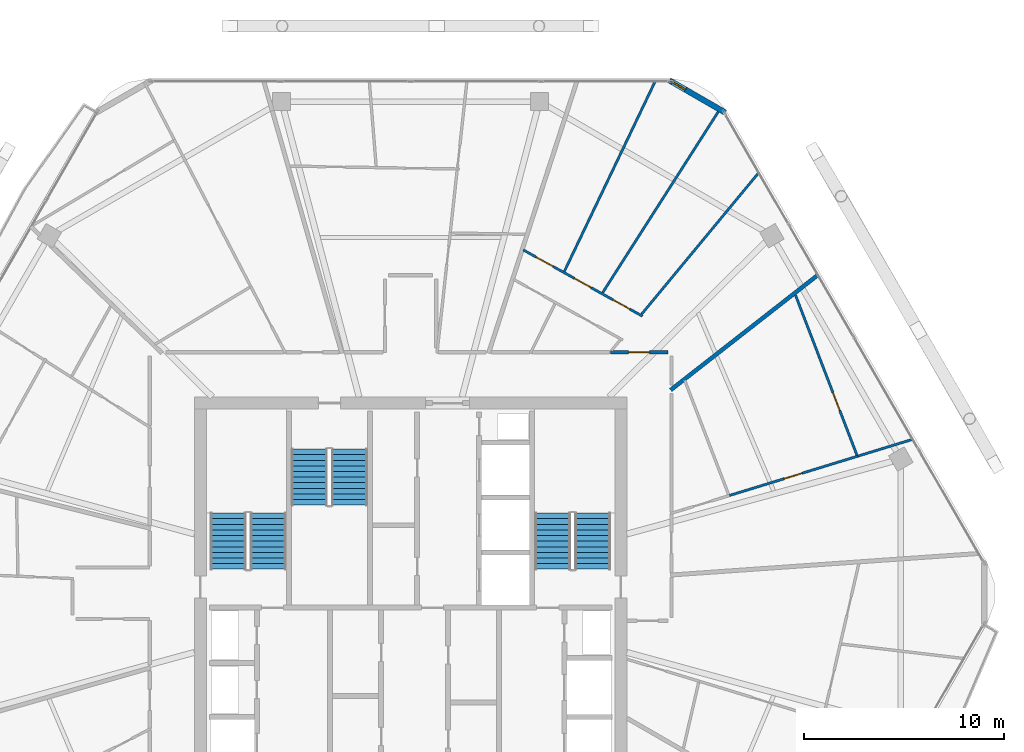
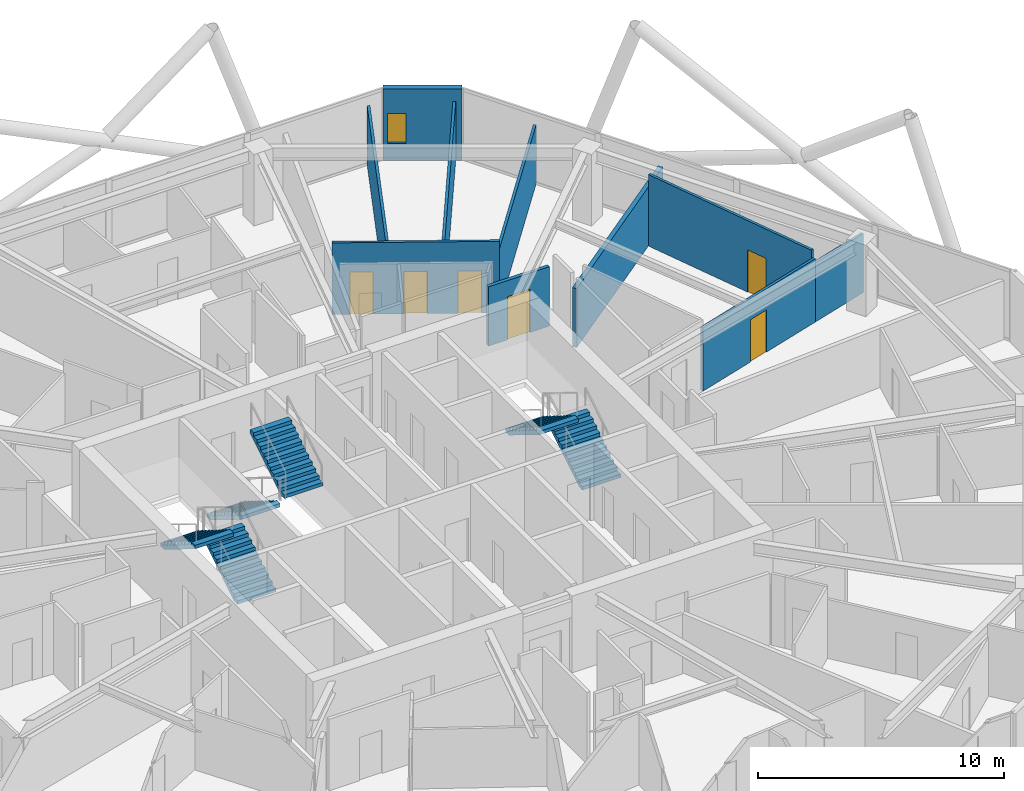
# One storey, part 25 of 29: 10 walls, 6 doors, 6 stair flights, 1 window, 7 openings, 3 elements without a shape of their own.
"""IFC4 building model written with IfcOpenShell, lengths in metres."""

from ifc_helpers import new_model, si_unit, direction, frame, frame_2d, origin, place, context, subcontext, project, spatial, polyline, rectangle, outline, extrude, material, layer, layer_set, type_object, element, fill, aggregate, save


model = new_model("IFC4")

# Units and contexts
model_context = context("Model", 3, precision=1e-05, world=origin(), true_north=direction((0.0, 1.0)))
body_context = subcontext(model_context, "Body", "Model", "MODEL_VIEW")
ifc_project = project(units=[si_unit("LENGTHUNIT", "METRE"), si_unit("AREAUNIT", "SQUARE_METRE"), si_unit("VOLUMEUNIT", "CUBIC_METRE"), si_unit("PLANEANGLEUNIT", "RADIAN"), si_unit("MASSUNIT", "GRAM", prefix="KILO")], contexts=[model_context])

# Site, building, storey
site_placement = place(None, origin())
site = spatial("IfcSite", under=ifc_project, at=site_placement, CompositionType="ELEMENT")
building_placement = place(site_placement, origin())
building = spatial("IfcBuilding", under=site, at=building_placement, Name="Zuhravey Tower", CompositionType="ELEMENT")
storey_placement = place(building_placement, frame((0.0, 0.0, 246.39990234375)))
storey = spatial("IfcBuildingStorey", under=building, at=storey_placement, Name="L62", CompositionType="ELEMENT", Elevation=246.39990234375)

# Wall, opening, door
ifc_material_1 = material(Name="Gypsum fire-rated stud partition")
ifc_layer_1 = layer(ifc_material_1, 0.159912109375)
ifc_layer_set_1 = layer_set([ifc_layer_1], Name="Gypsum fire-rated stud partition")
wall_type_1 = type_object("IfcWallType", Name="Corridor Fire Partition 160", PredefinedType="PARTITIONING", material=ifc_layer_set_1)
wall_1_placement = place(storey_placement, frame((48.849365234375, 44.030029296875, 0.0), z_axis=(0.0, 0.0, 1.0), x_axis=(-1.0, 0.0, 0.0)))
wall_1 = element("IfcWall", 1, at=wall_1_placement, inside=storey, type_object=wall_type_1, Name="L62 IW16 Partition 063", PredefinedType="PARTITIONING", context=body_context, shape_type="SweptSolid", body=[
    extrude(rectangle(XDim=2.8642578125, YDim=0.159912109375, at=frame_2d((1.43212890625, 0.0))), origin(), (0.0, 0.0, 1.0), 2.9501953125),
])
opening_1_placement = place(wall_1_placement, frame((0.906982421875, 0.0, 0.0)))
opening_1 = element("IfcOpeningElement", 2, at=opening_1_placement, cuts=wall_1, Name="Opening APD1", PredefinedType="OPENING", context=body_context, shape_type="SweptSolid", body=[
    extrude(rectangle(XDim=1.050048828125, YDim=2.14990234375, at=frame_2d((0.52490234375, 1.074951171875))), frame((0.0, 0.092041015625, 0.0), z_axis=(0.0, -1.0, 0.0), x_axis=(1.0, 0.0, 0.0)), (0.0, 0.0, 1.0), 0.183837890625),
])
ifc_material_2 = material(Name="Solid-core oak fire-rated leaf")
door_type_1 = type_object("IfcDoorType", Name="Apartment Entrance Fire Door 1050x2150", OperationType="NOTDEFINED", PredefinedType="DOOR", material=ifc_material_2)
door_1_placement = place(opening_1_placement, frame((1.050048828125, 0.0, 0.0), z_axis=(0.0, 0.0, 1.0), x_axis=(-1.0, 0.0, 0.0)))
door_1 = element("IfcDoor", 3, at=door_1_placement, inside=storey, type_object=door_type_1, Name="L62 Door 063.1", OperationType="SINGLE_SWING_RIGHT", OverallHeight=2.14990234375, OverallWidth=1.050048828125, PredefinedType="DOOR", context=body_context, shape_type="SweptSolid", body=[
    extrude(rectangle(XDim=1.050048828125, YDim=2.14990234375, at=frame_2d((0.52490234375, 1.074951171875))), frame((0.0, 0.02490234375, 0.0), z_axis=(0.0, -1.0, 0.0), x_axis=(1.0, 0.0, 0.0)), (0.0, 0.0, 1.0), 0.050048828125),
])
fill(opening_1, door_1)

# Wall, opening, window
ifc_material_3 = material(Name="Precast concrete C40/50", Category="concrete")
ifc_layer_2 = layer(ifc_material_3, 0.280029296875)
ifc_layer_set_2 = layer_set([ifc_layer_2], Name="Precast concrete C40/50")
wall_type_2 = type_object("IfcWallType", Name="Crown Architectural Wall 280", PredefinedType="SOLIDWALL", material=ifc_layer_set_2)
wall_2_placement = place(storey_placement, frame((48.930419921875, 57.611083984375, 0.0), z_axis=(0.0, 0.0, 1.0), x_axis=(0.866028773314, -0.499994163758, 0.0)))
wall_2 = element("IfcWall", 4, at=wall_2_placement, inside=storey, type_object=wall_type_2, Name="L62 Rounded Corner Closure Wall EW28-10", PredefinedType="SOLIDWALL", context=body_context, shape_type="SweptSolid", body=[
    extrude(rectangle(XDim=3.21484375, YDim=0.280029296875, at=frame_2d((1.607421875, 0.0))), origin(), (0.0, 0.0, 1.0), 3.550048828125),
])
opening_2_placement = place(wall_2_placement, frame((0.17578125, 0.0, 0.85009765625)))
opening_2 = element("IfcOpeningElement", 5, at=opening_2_placement, cuts=wall_2, Name="Opening WN5", PredefinedType="OPENING", context=body_context, shape_type="SweptSolid", body=[
    extrude(rectangle(XDim=0.75, YDim=1.5, at=frame_2d((0.375, 0.75))), frame((0.0, 0.152099609375, 0.0), z_axis=(0.0, -1.0, 0.0), x_axis=(1.0, 0.0, 0.0)), (0.0, 0.0, 1.0), 0.303955078125),
])
ifc_material_4 = material(Name="Thermally broken aluminium and triple low-E glass", Category="aluminium")
window_type = type_object("IfcWindowType", Name="Residential Corner Casement Window 750x1500", PartitioningType="SINGLE_PANEL", PredefinedType="WINDOW", material=ifc_material_4)
window_placement = place(opening_2_placement, origin())
window = element("IfcWindow", 6, at=window_placement, inside=storey, type_object=window_type, Name="L62 Corner Casement Window WN5-10.1", OverallHeight=1.5, OverallWidth=0.75, PartitioningType="SINGLE_PANEL", PredefinedType="WINDOW", context=body_context, shape_type="SweptSolid", body=[
    extrude(rectangle(XDim=0.75, YDim=1.5, at=frame_2d((0.375, 0.75))), frame((0.0, 0.030029296875, 0.0), z_axis=(0.0, -1.0, 0.0), x_axis=(1.0, 0.0, 0.0)), (0.0, 0.0, 1.0), 0.06005859375),
])
fill(opening_2, window)

# Wall
ifc_material_5 = material(Name="Gypsum double-stud party assembly")
ifc_layer_3 = layer(ifc_material_5, 0.199951171875)
ifc_layer_set_3 = layer_set([ifc_layer_3], Name="Gypsum double-stud party assembly")
wall_type_3 = type_object("IfcWallType", Name="Inter-Tenancy Party Wall 200", PredefinedType="PARTITIONING", material=ifc_layer_set_3)
wall_3_placement = place(storey_placement, frame((48.989990234375, 42.14892578125, 0.0), z_axis=(0.0, 0.0, 1.0), x_axis=(0.788003348051, 0.615670953887, 0.0)))
element("IfcWall", 7, at=wall_3_placement, inside=storey, type_object=wall_type_3, Name="L62 IW20 Partition 112", PredefinedType="PARTITIONING", context=body_context, shape_type="SweptSolid", body=[
    extrude(rectangle(XDim=9.330322265625, YDim=0.199951171875, at=frame_2d((4.6650390625, 0.0))), origin(), (0.0, 0.0, 1.0), 2.93017578125),
])

# Wall, opening, door
ifc_material_6 = material(Name="Gypsum metal-stud partition")
ifc_layer_4 = layer(ifc_material_6, 0.1201171875)
ifc_layer_set_4 = layer_set([ifc_layer_4], Name="Gypsum metal-stud partition")
wall_type_4 = type_object("IfcWallType", Name="Unit Internal Partition 120", PredefinedType="PARTITIONING", material=ifc_layer_set_4)
wall_4_placement = place(storey_placement, frame((51.926025390625, 36.881103515625, 0.0), z_axis=(0.0, 0.0, 1.0), x_axis=(0.956092574373, 0.293064820866, 0.0)))
wall_4 = element("IfcWall", 8, at=wall_4_placement, inside=storey, type_object=wall_type_4, Name="L62 IW12 Partition 058", PredefinedType="PARTITIONING", context=body_context, shape_type="SweptSolid", body=[
    extrude(rectangle(XDim=6.705322265625, YDim=0.1201171875, at=frame_2d((3.3525390625, 0.0))), origin(), (0.0, 0.0, 1.0), 3.150146484375),
])
opening_3_placement = place(wall_4_placement, frame((2.852783203125, 0.0, 0.0)))
opening_3 = element("IfcOpeningElement", 9, at=opening_3_placement, cuts=wall_4, Name="Opening IND1", PredefinedType="OPENING", context=body_context, shape_type="SweptSolid", body=[
    extrude(rectangle(XDim=0.949951171875, YDim=2.10009765625, at=frame_2d((0.47509765625, 1.050048828125))), frame((0.0, 0.072021484375, 0.0), z_axis=(0.0, -1.0, 0.0), x_axis=(1.0, 0.0, 0.0)), (0.0, 0.0, 1.0), 0.14404296875),
])
ifc_material_7 = material(Name="Painted engineered timber leaf", Category="wood")
door_type_2 = type_object("IfcDoorType", Name="Internal Room & Bedroom Door 950x2100", OperationType="NOTDEFINED", PredefinedType="DOOR", material=ifc_material_7)
door_2_placement = place(opening_3_placement, origin())
door_2 = element("IfcDoor", 10, at=door_2_placement, inside=storey, type_object=door_type_2, Name="Apartment L62-09 Home Office Door", OperationType="SINGLE_SWING_RIGHT", OverallHeight=2.10009765625, OverallWidth=0.949951171875, PredefinedType="DOOR", context=body_context, shape_type="SweptSolid", body=[
    extrude(rectangle(XDim=0.949951171875, YDim=2.10009765625, at=frame_2d((0.47509765625, 1.050048828125))), frame((0.0, 0.02490234375, 0.0), z_axis=(0.0, -1.0, 0.0), x_axis=(1.0, 0.0, 0.0)), (0.0, 0.0, 1.0), 0.050048828125),
])
fill(opening_3, door_2)

wall_5_placement = place(storey_placement, frame((58.288818359375, 38.902587890625, 0.0), z_axis=(0.0, 0.0, 1.0), x_axis=(-0.358377768056, 0.933576657465, 0.0)))
wall_5 = element("IfcWall", 11, at=wall_5_placement, inside=storey, type_object=wall_type_4, Name="L62 IW12 Partition 059", PredefinedType="PARTITIONING", context=body_context, shape_type="SweptSolid", body=[
    extrude(rectangle(XDim=8.544189453125, YDim=0.1201171875, at=frame_2d((4.27197265625, 0.0))), origin(), (0.0, 0.0, 1.0), 3.550048828125),
])
opening_4_placement = place(wall_5_placement, frame((2.392822265625, 0.0, 0.0)))
opening_4 = element("IfcOpeningElement", 12, at=opening_4_placement, cuts=wall_5, Name="Opening IND1", PredefinedType="OPENING", context=body_context, shape_type="SweptSolid", body=[
    extrude(rectangle(XDim=0.949951171875, YDim=2.10009765625, at=frame_2d((0.47509765625, 1.050048828125))), frame((0.0, 0.072021484375, 0.0), z_axis=(0.0, -1.0, 0.0), x_axis=(1.0, 0.0, 0.0)), (0.0, 0.0, 1.0), 0.14404296875),
])
door_3_placement = place(opening_4_placement, frame((0.949951171875, 0.0, 0.0), z_axis=(0.0, 0.0, 1.0), x_axis=(-1.0, 0.0, 0.0)))
door_3 = element("IfcDoor", 13, at=door_3_placement, inside=storey, type_object=door_type_2, Name="Apartment L62-09 Bedroom 1 Door", OperationType="SINGLE_SWING_LEFT", OverallHeight=2.10009765625, OverallWidth=0.949951171875, PredefinedType="DOOR", context=body_context, shape_type="SweptSolid", body=[
    extrude(rectangle(XDim=0.949951171875, YDim=2.10009765625, at=frame_2d((0.47509765625, 1.050048828125))), frame((0.0, 0.02490234375, 0.0), z_axis=(0.0, -1.0, 0.0), x_axis=(1.0, 0.0, 0.0)), (0.0, 0.0, 1.0), 0.050048828125),
])
fill(opening_4, door_3)

# Wall, openings, doors
wall_6_placement = place(storey_placement, frame((47.58349609375, 45.835205078125, 0.0), z_axis=(0.0, 0.0, 1.0), x_axis=(-0.874098085508, 0.485749458993, 0.0)))
wall_6 = element("IfcWall", 14, at=wall_6_placement, inside=storey, type_object=wall_type_4, Name="L62 IW12 Partition 062", PredefinedType="PARTITIONING", context=body_context, shape_type="SweptSolid", body=[
    extrude(rectangle(XDim=6.810302734375, YDim=0.1201171875, at=frame_2d((3.4052734375, 0.0))), origin(), (0.0, 0.0, 1.0), 3.550048828125),
])
opening_5_placement = place(wall_6_placement, frame((0.732421875, 0.0, 0.0)))
opening_5 = element("IfcOpeningElement", 15, at=opening_5_placement, cuts=wall_6, Name="Opening IND1", PredefinedType="OPENING", context=body_context, shape_type="SweptSolid", body=[
    extrude(rectangle(XDim=0.949951171875, YDim=2.10009765625, at=frame_2d((0.47509765625, 1.050048828125))), frame((0.0, 0.072021484375, 0.0), z_axis=(0.0, -1.0, 0.0), x_axis=(1.0, 0.0, 0.0)), (0.0, 0.0, 1.0), 0.14404296875),
])
opening_6_placement = place(wall_6_placement, frame((2.93017578125, 0.0, 0.0)))
opening_6 = element("IfcOpeningElement", 16, at=opening_6_placement, cuts=wall_6, Name="Opening IND1", PredefinedType="OPENING", context=body_context, shape_type="SweptSolid", body=[
    extrude(rectangle(XDim=0.949951171875, YDim=2.10009765625, at=frame_2d((0.47509765625, 1.050048828125))), frame((0.0, 0.072021484375, 0.0), z_axis=(0.0, -1.0, 0.0), x_axis=(1.0, 0.0, 0.0)), (0.0, 0.0, 1.0), 0.14404296875),
])
opening_7_placement = place(wall_6_placement, frame((5.127685546875, 0.0, 0.0)))
opening_7 = element("IfcOpeningElement", 17, at=opening_7_placement, cuts=wall_6, Name="Opening IND1", PredefinedType="OPENING", context=body_context, shape_type="SweptSolid", body=[
    extrude(rectangle(XDim=0.949951171875, YDim=2.10009765625, at=frame_2d((0.47509765625, 1.050048828125))), frame((0.0, 0.072021484375, 0.0), z_axis=(0.0, -1.0, 0.0), x_axis=(1.0, 0.0, 0.0)), (0.0, 0.0, 1.0), 0.14404296875),
])
door_4_placement = place(opening_5_placement, frame((0.949951171875, 0.0, 0.0), z_axis=(0.0, 0.0, 1.0), x_axis=(-1.0, 0.0, 0.0)))
door_4 = element("IfcDoor", 18, at=door_4_placement, inside=storey, type_object=door_type_2, Name="Apartment L62-10 Bedroom 1 Door", OperationType="SINGLE_SWING_LEFT", OverallHeight=2.10009765625, OverallWidth=0.949951171875, PredefinedType="DOOR", context=body_context, shape_type="SweptSolid", body=[
    extrude(rectangle(XDim=0.949951171875, YDim=2.10009765625, at=frame_2d((0.47509765625, 1.050048828125))), frame((0.0, 0.02490234375, 0.0), z_axis=(0.0, -1.0, 0.0), x_axis=(1.0, 0.0, 0.0)), (0.0, 0.0, 1.0), 0.050048828125),
])
fill(opening_5, door_4)
door_5_placement = place(opening_6_placement, frame((0.949951171875, 0.0, 0.0), z_axis=(0.0, 0.0, 1.0), x_axis=(-1.0, 0.0, 0.0)))
door_5 = element("IfcDoor", 19, at=door_5_placement, inside=storey, type_object=door_type_2, Name="Apartment L62-10 Bedroom 2 Door", OperationType="SINGLE_SWING_RIGHT", OverallHeight=2.10009765625, OverallWidth=0.949951171875, PredefinedType="DOOR", context=body_context, shape_type="SweptSolid", body=[
    extrude(rectangle(XDim=0.949951171875, YDim=2.10009765625, at=frame_2d((0.47509765625, 1.050048828125))), frame((0.0, 0.02490234375, 0.0), z_axis=(0.0, -1.0, 0.0), x_axis=(1.0, 0.0, 0.0)), (0.0, 0.0, 1.0), 0.050048828125),
])
fill(opening_6, door_5)
door_6_placement = place(opening_7_placement, frame((0.949951171875, 0.0, 0.0), z_axis=(0.0, 0.0, 1.0), x_axis=(-1.0, 0.0, 0.0)))
door_6 = element("IfcDoor", 20, at=door_6_placement, inside=storey, type_object=door_type_2, Name="Apartment L62-10 Bedroom 3 Door", OperationType="SINGLE_SWING_LEFT", OverallHeight=2.10009765625, OverallWidth=0.949951171875, PredefinedType="DOOR", context=body_context, shape_type="SweptSolid", body=[
    extrude(rectangle(XDim=0.949951171875, YDim=2.10009765625, at=frame_2d((0.47509765625, 1.050048828125))), frame((0.0, 0.02490234375, 0.0), z_axis=(0.0, -1.0, 0.0), x_axis=(1.0, 0.0, 0.0)), (0.0, 0.0, 1.0), 0.050048828125),
])
fill(opening_7, door_6)

# Walls
wall_7_placement = place(storey_placement, frame((58.3369140625, 38.84619140625, 0.0), z_axis=(0.0, 0.0, 1.0), x_axis=(0.956107218271, 0.293017042457, 0.0)))
element("IfcWall", 21, at=wall_7_placement, inside=storey, type_object=wall_type_4, Name="L62 IW12 Partition 110", PredefinedType="PARTITIONING", context=body_context, shape_type="SweptSolid", body=[
    extrude(rectangle(XDim=2.873779296875, YDim=0.1201171875, at=frame_2d((1.43701171875, 0.0))), origin(), (0.0, 0.0, 1.0), 2.93017578125),
])
wall_8_placement = place(storey_placement, frame((45.596435546875, 47.01708984375, 0.0), z_axis=(0.0, 0.0, 1.0), x_axis=(0.538471979817, 0.842643416252, 0.0)))
element("IfcWall", 22, at=wall_8_placement, inside=storey, type_object=wall_type_4, Name="L62 IW12 Partition 114", PredefinedType="PARTITIONING", context=body_context, shape_type="SweptSolid", body=[
    extrude(rectangle(XDim=10.947265625, YDim=0.1201171875, at=frame_2d((5.4736328125, 0.0))), origin(), (0.0, 0.0, 1.0), 2.93017578125),
])
wall_9_placement = place(storey_placement, frame((43.68359375, 48.080078125, 0.0), z_axis=(0.0, 0.0, 1.0), x_axis=(0.431150039007, 0.902280246855, 0.0)))
element("IfcWall", 23, at=wall_9_placement, inside=storey, type_object=wall_type_4, Name="L62 IW12 Partition 115", PredefinedType="PARTITIONING", context=body_context, shape_type="SweptSolid", body=[
    extrude(rectangle(XDim=10.521484375, YDim=0.1201171875, at=frame_2d((5.2607421875, 0.0))), origin(), (0.0, 0.0, 1.0), 2.93017578125),
])
wall_10_placement = place(storey_placement, frame((47.538818359375, 45.93798828125, 0.0), z_axis=(0.0, 0.0, 1.0), x_axis=(0.637687358295, 0.770295289529, 0.0)))
element("IfcWall", 24, at=wall_10_placement, inside=storey, type_object=wall_type_4, Name="L62 IW12 Partition 117", PredefinedType="PARTITIONING", context=body_context, shape_type="SweptSolid", body=[
    extrude(rectangle(XDim=9.18701171875, YDim=0.1201171875, at=frame_2d((4.593505859375, 0.0))), origin(), (0.0, 0.0, 1.0), 2.93017578125),
])

# Stair, stair flights
ifc_material_8 = material(Name="Concrete C40/50", Category="concrete")
stair_type = type_object("IfcStairType", Name="Housing Storey Stair Assembly 3800", PredefinedType="HALF_TURN_STAIR", material=ifc_material_8)
stair_1_placement = place(storey_placement, origin())
stair_1 = element("IfcStair", 25, at=stair_1_placement, inside=storey, type_object=stair_type, Name="L62 Core Exit Stair ST1", PredefinedType="HALF_TURN_STAIR")
stair_flight_type = type_object("IfcStairFlightType", Name="Housing Storey Stair Flight 3800", PredefinedType="STRAIGHT", material=ifc_material_8)
stair_flight_1_placement = place(storey_placement, frame((28.89990234375, 33.199951171875, 0.0), z_axis=(0.0, 0.0, 1.0), x_axis=(0.0, 1.0, 0.0)))
stair_flight_1 = element("IfcStairFlight", 26, at=stair_flight_1_placement, type_object=stair_flight_type, Name="ST1 flight 1", NumberOfRisers=11, NumberOfTreads=10, PredefinedType="STRAIGHT", RiserHeight=0.172727273, TreadLength=0.28, context=body_context, shape_type="SweptSolid", body=[
    extrude(outline(polyline([(0.0, 0.0), (0.0, 0.172607421875), (0.280029296875, 0.172607421875), (0.280029296875, 0.345458984375), (0.56005859375, 0.345458984375), (0.56005859375, 0.51806640625), (0.840087890625, 0.51806640625), (0.840087890625, 0.69091796875), (1.1201171875, 0.69091796875), (1.1201171875, 0.863525390625), (1.39990234375, 0.863525390625), (1.39990234375, 1.036376953125), (1.679931640625, 1.036376953125), (1.679931640625, 1.208984375), (1.9599609375, 1.208984375), (1.9599609375, 1.3818359375), (2.239990234375, 1.3818359375), (2.239990234375, 1.554443359375), (2.52001953125, 1.554443359375), (2.52001953125, 1.727294921875), (2.800048828125, 1.727294921875), (2.800048828125, 1.89990234375), (2.800048828125, 1.551025390625), (0.285400390625, 0.0), (0.0, 0.0)])), frame((0.0, 0.89990234375, 0.0), z_axis=(0.0, -1.0, 0.0), x_axis=(1.0, 0.0, 0.0)), (0.0, 0.0, 1.0), 1.800048828125),
])
stair_flight_2_placement = place(storey_placement, frame((26.89990234375, 36.0, 1.900146484375), z_axis=(0.0, 0.0, 1.0), x_axis=(0.0, -1.0, 0.0)))
stair_flight_2 = element("IfcStairFlight", 27, at=stair_flight_2_placement, type_object=stair_flight_type, Name="ST1 flight 2", NumberOfRisers=11, NumberOfTreads=10, PredefinedType="STRAIGHT", RiserHeight=0.172727273, TreadLength=0.28, context=body_context, shape_type="SweptSolid", body=[
    extrude(outline(polyline([(0.0, 0.0), (0.0, 0.172607421875), (0.280029296875, 0.172607421875), (0.280029296875, 0.345458984375), (0.56005859375, 0.345458984375), (0.56005859375, 0.51806640625), (0.840087890625, 0.51806640625), (0.840087890625, 0.69091796875), (1.1201171875, 0.69091796875), (1.1201171875, 0.863525390625), (1.39990234375, 0.863525390625), (1.39990234375, 1.036376953125), (1.679931640625, 1.036376953125), (1.679931640625, 1.208984375), (1.9599609375, 1.208984375), (1.9599609375, 1.3818359375), (2.239990234375, 1.3818359375), (2.239990234375, 1.554443359375), (2.52001953125, 1.554443359375), (2.52001953125, 1.727294921875), (2.800048828125, 1.727294921875), (2.800048828125, 1.89990234375), (2.800048828125, 1.551025390625), (0.285400390625, 0.0), (0.0, 0.0)])), frame((0.0, 0.89990234375, 0.0), z_axis=(0.0, -1.0, 0.0), x_axis=(1.0, 0.0, 0.0)), (0.0, 0.0, 1.0), 1.800048828125),
])
aggregate(stair_1, [stair_flight_1, stair_flight_2])

stair_2_placement = place(storey_placement, origin())
stair_2 = element("IfcStair", 28, at=stair_2_placement, inside=storey, type_object=stair_type, Name="L62 Core Exit Stair ST2", PredefinedType="HALF_TURN_STAIR")
stair_flight_3_placement = place(storey_placement, frame((45.10009765625, 33.199951171875, 0.0), z_axis=(0.0, 0.0, 1.0), x_axis=(0.0, 1.0, 0.0)))
stair_flight_3 = element("IfcStairFlight", 29, at=stair_flight_3_placement, type_object=stair_flight_type, Name="ST2 flight 1", NumberOfRisers=11, NumberOfTreads=10, PredefinedType="STRAIGHT", RiserHeight=0.172727273, TreadLength=0.28, context=body_context, shape_type="SweptSolid", body=[
    extrude(outline(polyline([(0.0, 0.0), (0.0, 0.172607421875), (0.280029296875, 0.172607421875), (0.280029296875, 0.345458984375), (0.56005859375, 0.345458984375), (0.56005859375, 0.51806640625), (0.840087890625, 0.51806640625), (0.840087890625, 0.69091796875), (1.1201171875, 0.69091796875), (1.1201171875, 0.863525390625), (1.39990234375, 0.863525390625), (1.39990234375, 1.036376953125), (1.679931640625, 1.036376953125), (1.679931640625, 1.208984375), (1.9599609375, 1.208984375), (1.9599609375, 1.3818359375), (2.239990234375, 1.3818359375), (2.239990234375, 1.554443359375), (2.52001953125, 1.554443359375), (2.52001953125, 1.727294921875), (2.800048828125, 1.727294921875), (2.800048828125, 1.89990234375), (2.800048828125, 1.551025390625), (0.285400390625, 0.0), (0.0, 0.0)])), frame((0.0, 0.89990234375, 0.0), z_axis=(0.0, -1.0, 0.0), x_axis=(1.0, 0.0, 0.0)), (0.0, 0.0, 1.0), 1.800048828125),
])
stair_flight_4_placement = place(storey_placement, frame((43.10009765625, 36.0, 1.900146484375), z_axis=(0.0, 0.0, 1.0), x_axis=(0.0, -1.0, 0.0)))
stair_flight_4 = element("IfcStairFlight", 30, at=stair_flight_4_placement, type_object=stair_flight_type, Name="ST2 flight 2", NumberOfRisers=11, NumberOfTreads=10, PredefinedType="STRAIGHT", RiserHeight=0.172727273, TreadLength=0.28, context=body_context, shape_type="SweptSolid", body=[
    extrude(outline(polyline([(0.0, 0.0), (0.0, 0.172607421875), (0.280029296875, 0.172607421875), (0.280029296875, 0.345458984375), (0.56005859375, 0.345458984375), (0.56005859375, 0.51806640625), (0.840087890625, 0.51806640625), (0.840087890625, 0.69091796875), (1.1201171875, 0.69091796875), (1.1201171875, 0.863525390625), (1.39990234375, 0.863525390625), (1.39990234375, 1.036376953125), (1.679931640625, 1.036376953125), (1.679931640625, 1.208984375), (1.9599609375, 1.208984375), (1.9599609375, 1.3818359375), (2.239990234375, 1.3818359375), (2.239990234375, 1.554443359375), (2.52001953125, 1.554443359375), (2.52001953125, 1.727294921875), (2.800048828125, 1.727294921875), (2.800048828125, 1.89990234375), (2.800048828125, 1.551025390625), (0.285400390625, 0.0), (0.0, 0.0)])), frame((0.0, 0.89990234375, 0.0), z_axis=(0.0, -1.0, 0.0), x_axis=(1.0, 0.0, 0.0)), (0.0, 0.0, 1.0), 1.800048828125),
])
aggregate(stair_2, [stair_flight_3, stair_flight_4])

stair_3_placement = place(storey_placement, origin())
stair_3 = element("IfcStair", 31, at=stair_3_placement, inside=storey, type_object=stair_type, Name="L62 Core Exit Stair ST3", PredefinedType="HALF_TURN_STAIR")
stair_flight_5_placement = place(storey_placement, frame((30.949951171875, 39.199951171875, 0.0), z_axis=(0.0, 0.0, 1.0), x_axis=(0.0, -1.0, 0.0)))
stair_flight_5 = element("IfcStairFlight", 32, at=stair_flight_5_placement, type_object=stair_flight_type, Name="ST3 flight 1", NumberOfRisers=11, NumberOfTreads=10, PredefinedType="STRAIGHT", RiserHeight=0.172727273, TreadLength=0.28, context=body_context, shape_type="SweptSolid", body=[
    extrude(outline(polyline([(0.0, 0.0), (0.0, 0.172607421875), (0.280029296875, 0.172607421875), (0.280029296875, 0.345458984375), (0.56005859375, 0.345458984375), (0.56005859375, 0.51806640625), (0.840087890625, 0.51806640625), (0.840087890625, 0.69091796875), (1.1201171875, 0.69091796875), (1.1201171875, 0.863525390625), (1.39990234375, 0.863525390625), (1.39990234375, 1.036376953125), (1.679931640625, 1.036376953125), (1.679931640625, 1.208984375), (1.9599609375, 1.208984375), (1.9599609375, 1.3818359375), (2.239990234375, 1.3818359375), (2.239990234375, 1.554443359375), (2.52001953125, 1.554443359375), (2.52001953125, 1.727294921875), (2.800048828125, 1.727294921875), (2.800048828125, 1.89990234375), (2.800048828125, 1.551025390625), (0.285400390625, 0.0), (0.0, 0.0)])), frame((0.0, 0.89990234375, 0.0), z_axis=(0.0, -1.0, 0.0), x_axis=(1.0, 0.0, 0.0)), (0.0, 0.0, 1.0), 1.800048828125),
])
stair_flight_6_placement = place(storey_placement, frame((32.949951171875, 36.39990234375, 1.900146484375), z_axis=(0.0, 0.0, 1.0), x_axis=(0.0, 1.0, 0.0)))
stair_flight_6 = element("IfcStairFlight", 33, at=stair_flight_6_placement, type_object=stair_flight_type, Name="ST3 flight 2", NumberOfRisers=11, NumberOfTreads=10, PredefinedType="STRAIGHT", RiserHeight=0.172727273, TreadLength=0.28, context=body_context, shape_type="SweptSolid", body=[
    extrude(outline(polyline([(0.0, 0.0), (0.0, 0.172607421875), (0.280029296875, 0.172607421875), (0.280029296875, 0.345458984375), (0.56005859375, 0.345458984375), (0.56005859375, 0.51806640625), (0.840087890625, 0.51806640625), (0.840087890625, 0.69091796875), (1.1201171875, 0.69091796875), (1.1201171875, 0.863525390625), (1.39990234375, 0.863525390625), (1.39990234375, 1.036376953125), (1.679931640625, 1.036376953125), (1.679931640625, 1.208984375), (1.9599609375, 1.208984375), (1.9599609375, 1.3818359375), (2.239990234375, 1.3818359375), (2.239990234375, 1.554443359375), (2.52001953125, 1.554443359375), (2.52001953125, 1.727294921875), (2.800048828125, 1.727294921875), (2.800048828125, 1.89990234375), (2.800048828125, 1.551025390625), (0.285400390625, 0.0), (0.0, 0.0)])), frame((0.0, 0.89990234375, 0.0), z_axis=(0.0, -1.0, 0.0), x_axis=(1.0, 0.0, 0.0)), (0.0, 0.0, 1.0), 1.800048828125),
])
aggregate(stair_3, [stair_flight_5, stair_flight_6])

save(model, "model.ifc")
